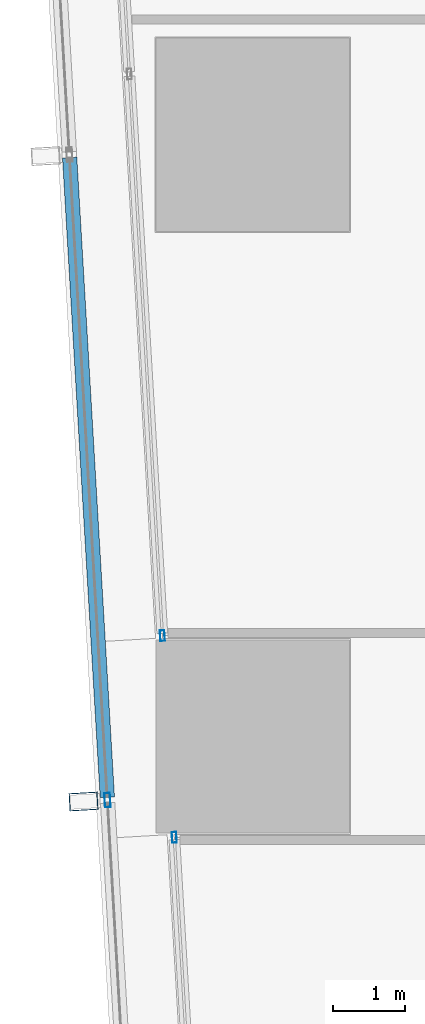
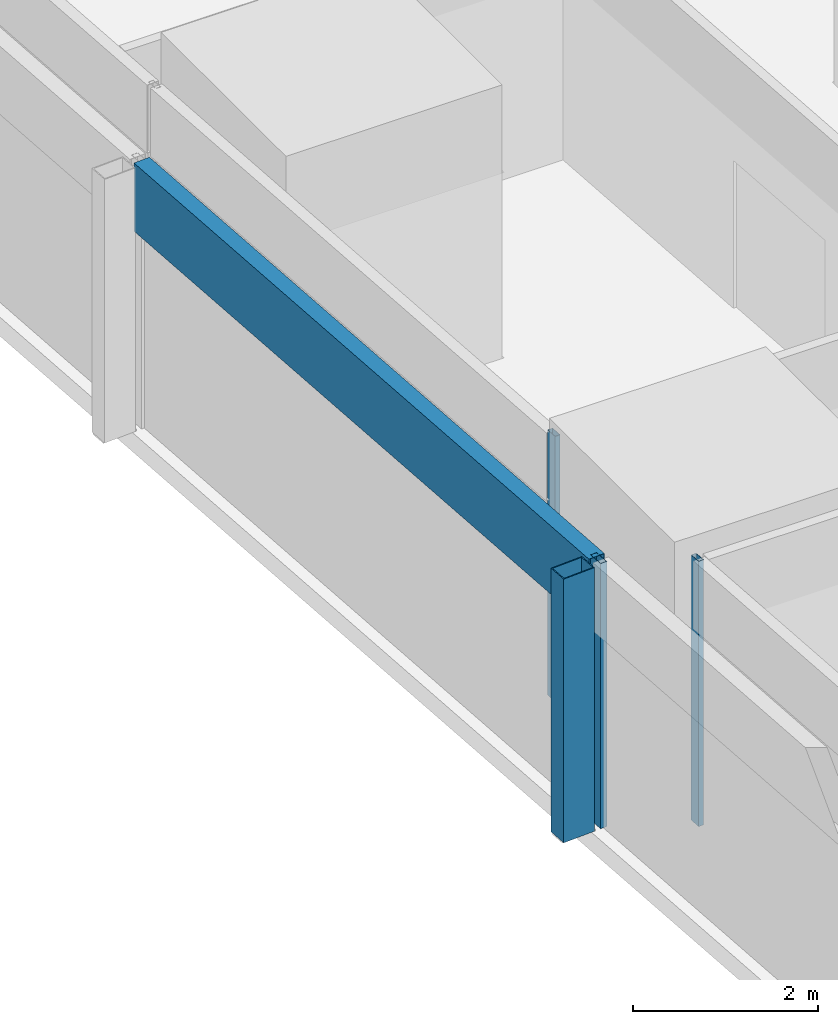
# One storey, part 4 of 36: 5 members, 3 elements without a shape of their own.
"""IFC4 building model written with IfcOpenShell, lengths in metres."""

import ifcopenshell
import ifcopenshell.guid

model = None  # the IFC model being written
_history = None  # IfcOwnerHistory: only IFC2X3 demands one
_inside = {}  # id of a spatial element -> (the spatial element, [elements in it])
_under = {}  # id of a project, library or spatial element -> (it, [spatial elements below it])
_declared = {}  # id of a project -> (the project, [libraries it declares])
_typed = {}  # id of a type object -> (the type object, [elements of that type])
_made_of = {}  # id of a material, layer set ... -> (it, [elements and type objects made of it])


def new_model(schema):
    """Start an empty IFC model of exactly this schema.

    Asked for "IFC4X3", IfcOpenShell would pick the latest addendum, in which some entities
    have other attributes; the version numbers below select the first issue.
    IFC2X3 requires an IfcOwnerHistory on every rooted entity: one is made here for all.
    """
    global model, _history
    if schema == "IFC4X3":
        model = ifcopenshell.file(schema_version=(4, 3, 0, 0))
    else:
        model = ifcopenshell.file(schema=schema)
    _inside.clear()
    _under.clear()
    _declared.clear()
    _typed.clear()
    _made_of.clear()
    _history = None
    if model.schema == "IFC2X3":
        org = make("IfcOrganization", Name="unknown")
        user = make(
            "IfcPersonAndOrganization",
            ThePerson=make("IfcPerson", FamilyName="unknown"),
            TheOrganization=org,
        )
        app = make(
            "IfcApplication",
            ApplicationDeveloper=org,
            Version="unknown",
            ApplicationFullName="unknown",
            ApplicationIdentifier="unknown",
        )
        _history = make(
            "IfcOwnerHistory",
            OwningUser=user,
            OwningApplication=app,
            ChangeAction="ADDED",
            CreationDate=0,
        )
    return model


def make(cls, **values):
    """One entity of the class cls with the attributes given. An attribute that is None is left unset."""
    return model.create_entity(
        cls, **{name: value for name, value in values.items() if value is not None}
    )


def rooted(cls, **values):
    """An entity with a GlobalId (a new one), such as an element, a storey or a relation."""
    return make(cls, GlobalId=ifcopenshell.guid.new(), OwnerHistory=_history, **values)


def si_unit(unit_type, name, prefix=None):
    """IfcSIUnit, for example si_unit("LENGTHUNIT", "METRE", prefix="MILLI")."""
    return make("IfcSIUnit", UnitType=unit_type, Prefix=prefix, Name=name)


def assignment(units):
    """IfcUnitAssignment: the units of a project."""
    return None if units is None else make("IfcUnitAssignment", Units=units)


def point(xyz):
    """IfcCartesianPoint."""
    return None if xyz is None else make("IfcCartesianPoint", Coordinates=xyz)


def direction(xyz):
    """IfcDirection."""
    return None if xyz is None else make("IfcDirection", DirectionRatios=xyz)


def frame(location, z_axis=None, x_axis=None):
    """IfcAxis2Placement3D, a coordinate frame: its origin and axes. An axis left out is left unset."""
    return make(
        "IfcAxis2Placement3D",
        Location=point(location),
        Axis=direction(z_axis),
        RefDirection=direction(x_axis),
    )


def frame_2d(location, x_axis=None):
    """IfcAxis2Placement2D, a coordinate frame in the plane: its origin and x axis."""
    return make(
        "IfcAxis2Placement2D", Location=point(location), RefDirection=direction(x_axis)
    )


def origin():
    """The frame at (0, 0, 0) with its axes left unset."""
    return frame((0.0, 0.0, 0.0))


def origin_2d():
    """The frame at (0, 0) in the plane with its x axis left unset."""
    return frame_2d((0.0, 0.0))


def place(relative_to, where):
    """IfcLocalPlacement: puts the frame where relative to a parent placement (None: the world)."""
    return make(
        "IfcLocalPlacement", PlacementRelTo=relative_to, RelativePlacement=where
    )


def context(
    kind, dimensions, precision=None, world=None, true_north=None, identifier=None
):
    """IfcGeometricRepresentationContext, for example the 3D "Model" context."""
    return make(
        "IfcGeometricRepresentationContext",
        ContextIdentifier=identifier,
        ContextType=kind,
        CoordinateSpaceDimension=dimensions,
        Precision=precision,
        WorldCoordinateSystem=world,
        TrueNorth=true_north,
    )


def subcontext(parent, identifier, kind, view, scale=None):
    """IfcGeometricRepresentationSubContext, for example "Body" below "Model"."""
    return make(
        "IfcGeometricRepresentationSubContext",
        ContextIdentifier=identifier,
        ContextType=kind,
        ParentContext=parent,
        TargetScale=scale,
        TargetView=view,
    )


def project(units=None, contexts=None):
    """IfcProject with its units and contexts."""
    return rooted(
        "IfcProject",
        Name="project",
        RepresentationContexts=contexts,
        UnitsInContext=assignment(units),
    )


def spatial(cls, under=None, at=None, **own):
    """A site, building, storey or space (cls), placed at a placement, below another one or the project."""
    s = rooted(cls, ObjectPlacement=at, **own)
    if under is not None:
        _under.setdefault(under.id(), (under, []))[1].append(s)
    return s


def profile(cls, at=None, kind="AREA", **sizes):
    """A parametric profile (cls). Its sizes go by their IFC names, for example OverallWidth=200.0."""
    return make(cls, ProfileType=kind, Position=at, **sizes)


def hollow_rectangle(**sizes):
    """IfcRectangleHollowProfileDef."""
    return profile("IfcRectangleHollowProfileDef", **sizes)


def extrude(swept, where, along, depth):
    """IfcExtrudedAreaSolid: the profile swept, set in the frame where, extruded along a direction by depth."""
    return make(
        "IfcExtrudedAreaSolid",
        SweptArea=swept,
        Position=where,
        ExtrudedDirection=direction(along),
        Depth=depth,
    )


def shape(context_of_items, identifier, shape_type, items):
    """IfcShapeRepresentation: the items that make up one representation, for example the "Body"."""
    return make(
        "IfcShapeRepresentation",
        ContextOfItems=context_of_items,
        RepresentationIdentifier=identifier,
        RepresentationType=shape_type,
        Items=items,
    )


def material(Name=None, Category=None):
    """IfcMaterial."""
    return make("IfcMaterial", Name=Name, Category=Category)


def material_profile(
    of_material, cross_section, Name=None, Category=None, Priority=None
):
    """IfcMaterialProfile: a cross section and its material."""
    return make(
        "IfcMaterialProfile",
        Name=Name,
        Material=of_material,
        Profile=cross_section,
        Priority=Priority,
        Category=Category,
    )


def profile_set(profiles, Name=None, composite=None):
    """IfcMaterialProfileSet."""
    return make(
        "IfcMaterialProfileSet",
        Name=Name,
        MaterialProfiles=profiles,
        CompositeProfile=composite,
    )


def made_of(thing, what):
    """Note that an element or type object is made of a material, layer set ...; save() writes the relation."""
    if what is not None:
        _made_of.setdefault(what.id(), (what, []))[1].append(thing)
    return thing


def type_object(cls, material=None, **own):
    """A type object (cls), such as IfcWallType, which elements share."""
    return made_of(rooted(cls, **own), material)


def element(
    cls,
    number,
    at=None,
    inside=None,
    cuts=None,
    type_object=None,
    material=None,
    context=None,
    identifier="Body",
    shape_type=None,
    held_by="IfcProductDefinitionShape",
    body=None,
    shapes=None,
    **own,
):
    """One element of the class cls, such as IfcWall. Its Tag is "e" and its number.

    at: its placement. inside: the storey or other place that contains it. cuts: it is an
    opening in that element (IfcRelVoidsElement). A single representation is given by context,
    identifier, shape_type and body (its items); several are given by shapes. held_by: the class
    of the entity that holds the representations. save() writes the other relations.
    """
    e = rooted(cls, Tag="e%d" % number, ObjectPlacement=at, **own)
    if body is not None:
        shapes = [shape(context, identifier, shape_type, body)]
    if shapes is not None:
        e.Representation = make(held_by, Representations=shapes)
    if inside is not None:
        _inside.setdefault(inside.id(), (inside, []))[1].append(e)
    if cuts is not None:
        rooted(
            "IfcRelVoidsElement", RelatingBuildingElement=cuts, RelatedOpeningElement=e
        )
    if type_object is not None:
        _typed.setdefault(type_object.id(), (type_object, []))[1].append(e)
    return made_of(e, material)


def aggregate(whole, parts):
    """IfcRelAggregates: a whole, such as a stair, and the parts it consists of."""
    return rooted("IfcRelAggregates", RelatingObject=whole, RelatedObjects=parts)


def save(model, path):
    """Write the relations noted so far, then the file.

    IfcRelAggregates (storeys below a building ...), IfcRelContainedInSpatialStructure (elements
    in a storey), IfcRelDefinesByType, IfcRelAssociatesMaterial and IfcRelDeclares: one each for
    every whole, place, type object, material and project.
    """
    for whole, parts in _under.values():
        aggregate(whole, parts)
    for where, things in _inside.values():
        rooted(
            "IfcRelContainedInSpatialStructure",
            RelatedElements=things,
            RelatingStructure=where,
        )
    for kind, things in _typed.values():
        rooted("IfcRelDefinesByType", RelatedObjects=things, RelatingType=kind)
    for what, things in _made_of.values():
        rooted("IfcRelAssociatesMaterial", RelatedObjects=things, RelatingMaterial=what)
    for by, libraries in _declared.values():
        rooted("IfcRelDeclares", RelatingContext=by, RelatedDefinitions=libraries)
    model.write(path)


model = new_model("IFC4")

# Units and contexts
model_context = context("Model", 3, precision=1e-05, world=origin(), true_north=direction((0.0, 1.0)))
body_context = subcontext(model_context, "Body", "Model", "MODEL_VIEW")
ifc_project = project(units=[si_unit("LENGTHUNIT", "METRE"), si_unit("AREAUNIT", "SQUARE_METRE"), si_unit("VOLUMEUNIT", "CUBIC_METRE"), si_unit("PLANEANGLEUNIT", "RADIAN"), si_unit("MASSUNIT", "GRAM", prefix="KILO")], contexts=[model_context])

# Site, building, storey
site_placement = place(None, origin())
site = spatial("IfcSite", under=ifc_project, at=site_placement, CompositionType="ELEMENT")
building_placement = place(site_placement, origin())
building = spatial("IfcBuilding", under=site, at=building_placement, Name="Rekha Terrace Tower", CompositionType="ELEMENT")
storey_placement = place(building_placement, frame((0.0, 0.0, 172.699951171875)))
storey = spatial("IfcBuildingStorey", under=building, at=storey_placement, Name="L43", CompositionType="ELEMENT", Elevation=172.699951171875)

# Curtain wall, member
ifc_material_1 = material(Name="Aluminium framing", Category="aluminium")
curtain_wall_type_1 = type_object("IfcCurtainWallType", Name="CW2 double skin outer glazing", PredefinedType="USERDEFINED", material=ifc_material_1)
curtain_wall_1_placement = place(storey_placement, origin())
curtain_wall_1 = element("IfcCurtainWall", 1, at=curtain_wall_1_placement, inside=storey, type_object=curtain_wall_type_1, Name="CW2 double skin outer glazing", ObjectType="DOUBLE SKIN OUTER GLAZING", PredefinedType="USERDEFINED")
ifc_material_2 = material(Name="Steel S355 with fluorocarbon finish", Category="steel")
ifc_material_profile_1 = material_profile(ifc_material_2, hollow_rectangle(XDim=0.25, YDim=0.39990234375, WallThickness=0.012451171875, at=origin_2d()), Name="RHS400x250x12.5")
ifc_profile_set_1 = profile_set([ifc_material_profile_1], Name="Steel S355 with fluorocarbon finish")
member_type_1 = type_object("IfcMemberType", Name="BL1 facade blade RHS 400 x 250", PredefinedType="USERDEFINED", material=ifc_profile_set_1)
member_1_placement = place(storey_placement, frame((6.03662109375, 24.292236328125, 0.02001953125), z_axis=(0.0, 0.0, 1.0), x_axis=(0.058764522885, -0.998271872212, 0.0)))
member_1 = element("IfcMember", 2, at=member_1_placement, type_object=member_type_1, Name="Facade blade", ObjectType="FACADE BLADE", PredefinedType="USERDEFINED", context=body_context, shape_type="SweptSolid", body=[
    extrude(hollow_rectangle(XDim=0.25, YDim=0.39990234375, WallThickness=0.012451171875, at=origin_2d()), origin(), (0.0, 0.0, 1.0), 3.47998046875),
])

curtain_wall_type_2 = type_object("IfcCurtainWallType", Name="CW1 double skin inner glazing", PredefinedType="USERDEFINED", material=ifc_material_1)
curtain_wall_2_placement = place(storey_placement, origin())
curtain_wall_2 = element("IfcCurtainWall", 3, at=curtain_wall_2_placement, inside=storey, type_object=curtain_wall_type_2, Name="CW1 double skin inner glazing", ObjectType="DOUBLE SKIN INNER GLAZING", PredefinedType="USERDEFINED")
ifc_material_3 = material(Name="Aluminium mullion section", Category="aluminium")
ifc_material_profile_2 = material_profile(ifc_material_3, hollow_rectangle(XDim=0.06494140625, YDim=0.14990234375, WallThickness=0.00390625, at=origin_2d()), Name="AL RHS 65x150")
ifc_profile_set_2 = profile_set([ifc_material_profile_2], Name="Aluminium mullion section")
member_type_2 = type_object("IfcMemberType", Name="CW1 mullion RHS 65 x 150", PredefinedType="MULLION", material=ifc_profile_set_2)
member_2_placement = place(storey_placement, frame((7.137451171875, 26.607666015625, 0.0), z_axis=(0.0, 0.0, 1.0), x_axis=(0.998271839266, 0.058765082569, 0.0)))
member_2 = element("IfcMember", 4, at=member_2_placement, type_object=member_type_2, Name="CW1 mullion 3", PredefinedType="MULLION", context=body_context, shape_type="SweptSolid", body=[
    extrude(hollow_rectangle(XDim=0.06494140625, YDim=0.14990234375, WallThickness=0.00390625, at=origin_2d()), origin(), (0.0, 0.0, 1.0), 3.5),
])
aggregate(curtain_wall_2, [member_2])

curtain_wall_3_placement = place(storey_placement, origin())
curtain_wall_3 = element("IfcCurtainWall", 5, at=curtain_wall_3_placement, inside=storey, type_object=curtain_wall_type_2, Name="CW1 double skin inner glazing", ObjectType="DOUBLE SKIN INNER GLAZING", PredefinedType="USERDEFINED")
member_3_placement = place(storey_placement, frame((7.30322265625, 23.7919921875, 0.0), z_axis=(0.0, 0.0, 1.0), x_axis=(0.998271839269, 0.058765082516, 0.0)))
member_3 = element("IfcMember", 6, at=member_3_placement, type_object=member_type_2, Name="CW1 mullion 1", PredefinedType="MULLION", context=body_context, shape_type="SweptSolid", body=[
    extrude(hollow_rectangle(XDim=0.06494140625, YDim=0.14990234375, WallThickness=0.00390625, at=origin_2d()), origin(), (0.0, 0.0, 1.0), 3.5),
])
aggregate(curtain_wall_3, [member_3])

# Member
ifc_material_profile_3 = material_profile(ifc_material_3, hollow_rectangle(XDim=0.080078125, YDim=0.199951171875, WallThickness=0.00390625, at=origin_2d()), Name="AL RHS 80x200")
ifc_profile_set_3 = profile_set([ifc_material_profile_3], Name="Aluminium mullion section")
member_type_3 = type_object("IfcMemberType", Name="CW2 mullion RHS 80 x 200", PredefinedType="MULLION", material=ifc_profile_set_3)
member_4_placement = place(storey_placement, frame((6.370849609375, 24.31201171875, 0.0), z_axis=(0.0, 0.0, 1.0), x_axis=(0.99827183927, 0.058765082499, 0.0)))
member_4 = element("IfcMember", 7, at=member_4_placement, type_object=member_type_3, Name="CW2 mullion 3", PredefinedType="MULLION", context=body_context, shape_type="SweptSolid", body=[
    extrude(hollow_rectangle(XDim=0.080078125, YDim=0.199951171875, WallThickness=0.00390625, at=origin_2d()), origin(), (0.0, 0.0, 1.0), 3.5),
])

ifc_material_4 = material(Name="Insulated aluminium spandrel box", Category="aluminium")
ifc_material_profile_4 = material_profile(ifc_material_4, hollow_rectangle(XDim=0.199951171875, YDim=0.89990234375, WallThickness=0.0029296875, at=origin_2d()), Name="AL SPANDREL BOX 200x900")
ifc_profile_set_4 = profile_set([ifc_material_profile_4], Name="Insulated aluminium spandrel box")
member_type_4 = type_object("IfcMemberType", Name="CW2 spandrel transom 200 x 900", PredefinedType="USERDEFINED", material=ifc_profile_set_4)
member_5_placement = place(storey_placement, frame((5.843017578125, 33.27978515625, 3.050048828125), z_axis=(0.058773229711, -0.998271359636, 0.0), x_axis=(0.998271359636, 0.058773229711, 0.0)))
member_5 = element("IfcMember", 8, at=member_5_placement, type_object=member_type_4, Name="CW2 spandrel transom 2", ObjectType="TRANSOM", PredefinedType="USERDEFINED", context=body_context, shape_type="SweptSolid", body=[
    extrude(hollow_rectangle(XDim=0.199951171875, YDim=0.89990234375, WallThickness=0.0029296875, at=origin_2d()), origin(), (0.0, 0.0, 1.0), 8.943359375),
])

aggregate(curtain_wall_1, [member_4, member_5, member_1])

save(model, "model.ifc")
